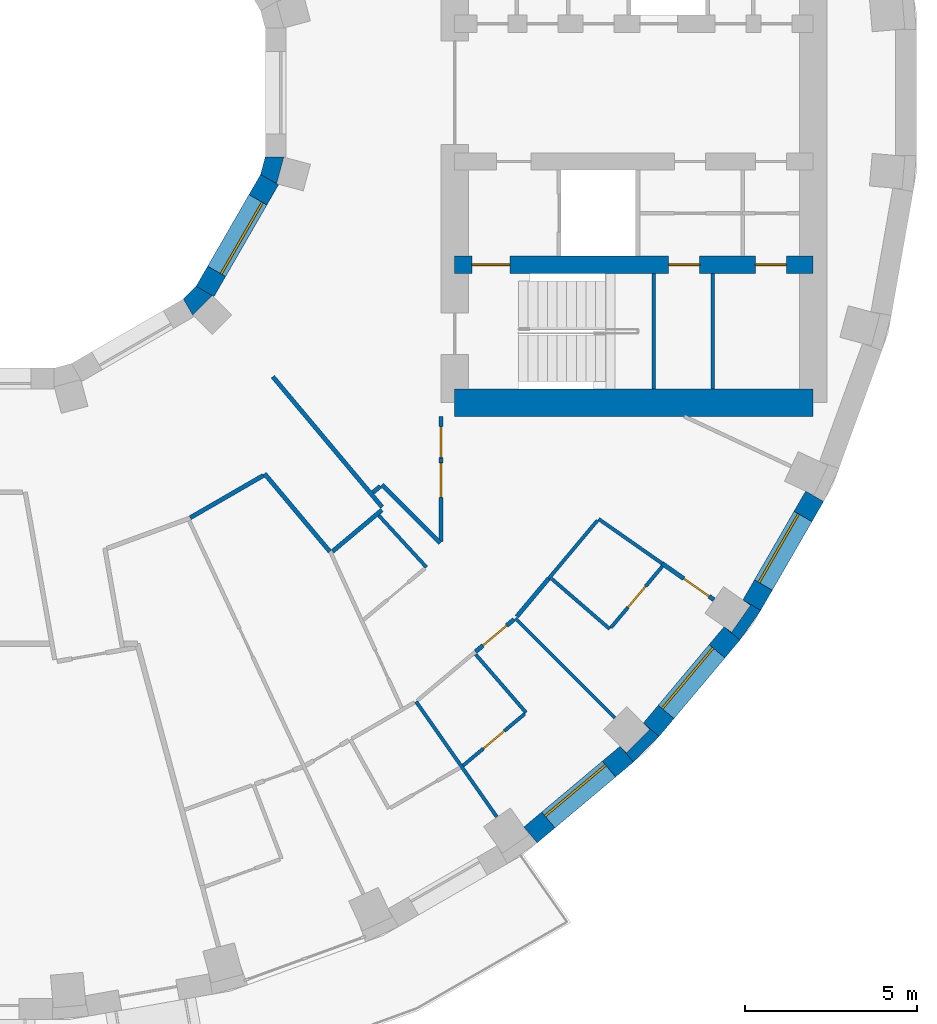
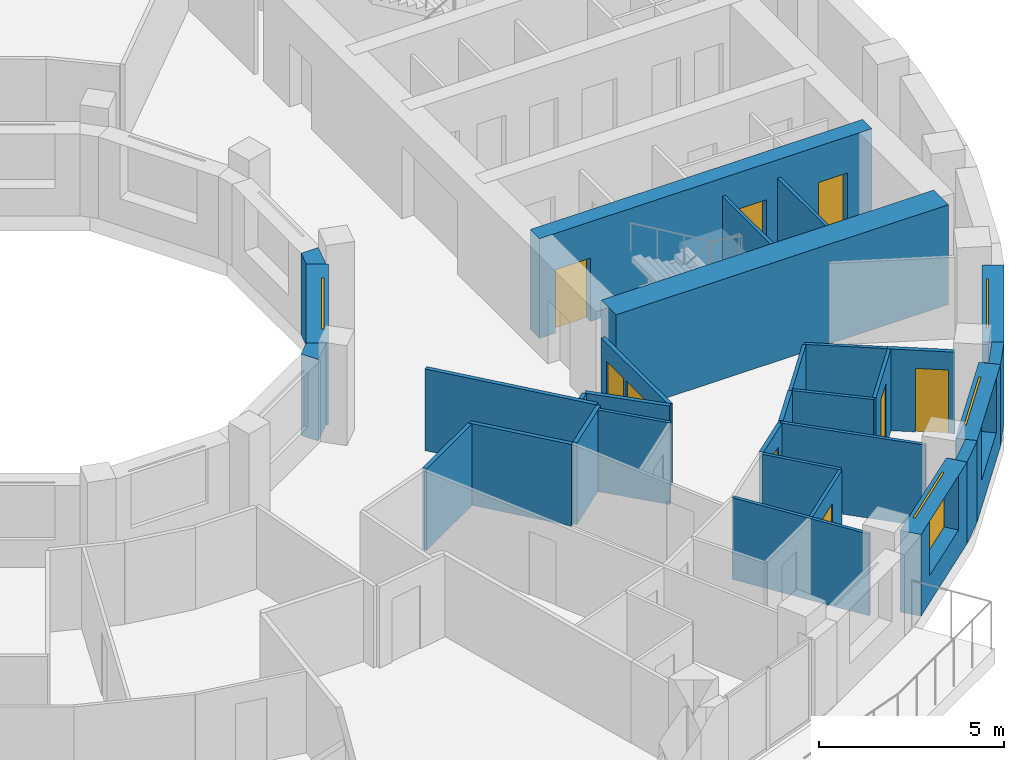
# One storey, part 9 of 16: 31 walls, 9 doors, 4 windows, 13 openings.
"""IFC4 building model written with IfcOpenShell, lengths in metres."""

from ifc_helpers import new_model, si_unit, direction, frame, frame_2d, origin, place, context, subcontext, project, spatial, polyline, rectangle, outline, extrude, material, layer, layer_set, type_object, element, fill, save


model = new_model("IFC4")

# Units and contexts
model_context = context("Model", 3, precision=1e-05, world=origin(), true_north=direction((0.0, 1.0)))
body_context = subcontext(model_context, "Body", "Model", "MODEL_VIEW")
ifc_project = project(units=[si_unit("LENGTHUNIT", "METRE"), si_unit("AREAUNIT", "SQUARE_METRE"), si_unit("VOLUMEUNIT", "CUBIC_METRE"), si_unit("PLANEANGLEUNIT", "RADIAN"), si_unit("MASSUNIT", "GRAM", prefix="KILO")], contexts=[model_context])

# Site, building, storey
site_placement = place(None, origin())
site = spatial("IfcSite", under=ifc_project, at=site_placement, CompositionType="ELEMENT")
building_placement = place(site_placement, origin())
building = spatial("IfcBuilding", under=site, at=building_placement, Name="Saqina Gate Tower", CompositionType="ELEMENT")
storey_placement = place(building_placement, frame((0.0, 0.0, 148.0)))
storey = spatial("IfcBuildingStorey", under=building, at=storey_placement, Name="L42", CompositionType="ELEMENT", Elevation=148.0)

# Walls
ifc_material_1 = material(Name="Brick masonry (buff)", Category="masonry")
wall_type_1 = type_object("IfcWallType", Name="BRICK PIER COPING BUFF", PredefinedType="SOLIDWALL", material=ifc_material_1)
wall_1_placement = place(storey_placement, origin())
element("IfcWall", 1, at=wall_1_placement, inside=storey, type_object=wall_type_1, Name="Pier cap L42 column 32", PredefinedType="SOLIDWALL", context=body_context, shape_type="SweptSolid", body=[
    extrude(outline(polyline([(18.686279296875, -19.43212890625), (19.43212890625, -18.686279296875), (18.972412109375, -18.30078125), (19.16259765625, -18.49072265625), (18.49072265625, -19.16259765625), (18.30078125, -18.972412109375), (18.686279296875, -19.43212890625)])), origin(), (0.0, 0.0, 1.0), 2.699951171875),
])
wall_2_placement = place(storey_placement, origin())
element("IfcWall", 2, at=wall_2_placement, inside=storey, type_object=wall_type_1, Name="Pier cap L42 column 33", PredefinedType="SOLIDWALL", context=body_context, shape_type="SweptSolid", body=[
    extrude(outline(polyline([(22.3818359375, -15.0283203125), (21.862060546875, -14.728271484375), (22.08251953125, -14.88232421875), (21.53759765625, -15.66064453125), (21.317138671875, -15.50634765625), (21.77685546875, -15.89208984375), (22.3818359375, -15.0283203125)])), origin(), (0.0, 0.0, 1.0), 2.699951171875),
])
ifc_material_2 = material(Name="Gypsum board on steel studs", Category="steel")
ifc_layer_1 = layer(ifc_material_2, 0.10009765625)
ifc_layer_set_1 = layer_set([ifc_layer_1], Name="CORE PARTITION")
wall_type_2 = type_object("IfcWallType", Name="CORE PARTITION", PredefinedType="PARTITIONING", material=ifc_layer_set_1)
wall_3_placement = place(storey_placement, frame((20.991943359375, -8.60009765625, 0.0), z_axis=(0.0, 0.0, 1.0), x_axis=(0.0, 1.0, 0.0)))
element("IfcWall", 3, at=wall_3_placement, inside=storey, type_object=wall_type_2, Name="L42-CP-E16", PredefinedType="PARTITIONING", context=body_context, shape_type="SweptSolid", body=[
    extrude(rectangle(XDim=3.35009765625, YDim=0.10009765625, at=frame_2d((1.675048828125, 0.0))), origin(), (0.0, 0.0, 1.0), 2.699951171875),
])

# Wall, opening, window
ifc_material_3 = material(Name="Brick masonry (buff)", Category="masonry")
ifc_layer_2 = layer(ifc_material_3, 0.60009765625)
ifc_layer_set_2 = layer_set([ifc_layer_2], Name="FW-BRICK-BUFF")
wall_type_3 = type_object("IfcWallType", Name="FW-BRICK-BUFF", PredefinedType="SOLIDWALL", material=ifc_layer_set_2)
wall_4_placement = place(storey_placement, frame((15.69921875, -21.547119140625, 0.0), z_axis=(0.0, 0.0, 1.0), x_axis=(0.766055462616, 0.642774476932, 0.0)))
wall_4 = element("IfcWall", 4, at=wall_4_placement, inside=storey, type_object=wall_type_3, Name="Facade wall L42 facet 31", PredefinedType="SOLIDWALL", context=body_context, shape_type="SweptSolid", body=[
    extrude(rectangle(XDim=3.647705078125, YDim=0.60009765625, at=frame_2d((1.82373046875, 0.0))), origin(), (0.0, 0.0, 1.0), 2.699951171875),
])
opening_1_placement = place(wall_4_placement, frame((0.673828125, 0.0, 0.89990234375)))
opening_1 = element("IfcOpeningElement", 5, at=opening_1_placement, cuts=wall_4, Name="Opening G12-W20", PredefinedType="OPENING", context=body_context, shape_type="SweptSolid", body=[
    extrude(rectangle(XDim=2.300048828125, YDim=1.800048828125, at=frame_2d((1.14990234375, 0.89990234375))), frame((0.0, 0.31201171875, 0.0), z_axis=(0.0, -1.0, 0.0), x_axis=(1.0, 0.0, 0.0)), (0.0, 0.0, 1.0), 0.6240234375),
])
ifc_material_4 = material(Name="Aluminium glazing", Category="aluminium")
window_type_1 = type_object("IfcWindowType", Name="WN-B", PartitioningType="SINGLE_PANEL", PredefinedType="WINDOW", material=ifc_material_4)
window_1_placement = place(opening_1_placement, origin())
window_1 = element("IfcWindow", 6, at=window_1_placement, inside=storey, type_object=window_type_1, Name="Window L42 facet 31", OverallHeight=1.800048828125, OverallWidth=2.300048828125, PartitioningType="SINGLE_PANEL", PredefinedType="WINDOW", context=body_context, shape_type="SweptSolid", body=[
    extrude(rectangle(XDim=2.300048828125, YDim=1.800048828125, at=frame_2d((1.14990234375, 0.89990234375))), frame((0.0, 0.179931640625, 0.0), z_axis=(0.0, -1.0, 0.0), x_axis=(1.0, 0.0, 0.0)), (0.0, 0.0, 1.0), 0.06005859375),
])
fill(opening_1, window_1)

wall_5_placement = place(storey_placement, frame((19.202392578125, -18.49365234375, 0.0), z_axis=(0.0, 0.0, 1.0), x_axis=(0.642774476932, 0.766055462616, 0.0)))
wall_5 = element("IfcWall", 7, at=wall_5_placement, inside=storey, type_object=wall_type_3, Name="Facade wall L42 facet 32", PredefinedType="SOLIDWALL", context=body_context, shape_type="SweptSolid", body=[
    extrude(rectangle(XDim=3.647705078125, YDim=0.60009765625, at=frame_2d((1.82373046875, 0.0))), origin(), (0.0, 0.0, 1.0), 2.699951171875),
])
opening_2_placement = place(wall_5_placement, frame((0.673828125, 0.0, 0.89990234375)))
opening_2 = element("IfcOpeningElement", 8, at=opening_2_placement, cuts=wall_5, Name="Opening G12-W21", PredefinedType="OPENING", context=body_context, shape_type="SweptSolid", body=[
    extrude(rectangle(XDim=2.300048828125, YDim=1.800048828125, at=frame_2d((1.14990234375, 0.89990234375))), frame((0.0, 0.31201171875, 0.0), z_axis=(0.0, -1.0, 0.0), x_axis=(1.0, 0.0, 0.0)), (0.0, 0.0, 1.0), 0.6240234375),
])
window_2_placement = place(opening_2_placement, origin())
window_2 = element("IfcWindow", 9, at=window_2_placement, inside=storey, type_object=window_type_1, Name="Window L42 facet 32", OverallHeight=1.800048828125, OverallWidth=2.300048828125, PartitioningType="SINGLE_PANEL", PredefinedType="WINDOW", context=body_context, shape_type="SweptSolid", body=[
    extrude(rectangle(XDim=2.300048828125, YDim=1.800048828125, at=frame_2d((1.14990234375, 0.89990234375))), frame((0.0, 0.179931640625, 0.0), z_axis=(0.0, -1.0, 0.0), x_axis=(1.0, 0.0, 0.0)), (0.0, 0.0, 1.0), 0.06005859375),
])
fill(opening_2, window_2)

wall_6_placement = place(storey_placement, frame((22.1220703125, -14.878173828125, 0.0), z_axis=(0.0, 0.0, 1.0), x_axis=(0.499954196102, 0.866051847062, 0.0)))
wall_6 = element("IfcWall", 10, at=wall_6_placement, inside=storey, type_object=wall_type_3, Name="Facade wall L42 facet 33", PredefinedType="SOLIDWALL", context=body_context, shape_type="SweptSolid", body=[
    extrude(rectangle(XDim=3.647705078125, YDim=0.60009765625, at=frame_2d((1.82373046875, 0.0))), origin(), (0.0, 0.0, 1.0), 2.699951171875),
])
opening_3_placement = place(wall_6_placement, frame((0.673828125, 0.0, 0.89990234375)))
opening_3 = element("IfcOpeningElement", 11, at=opening_3_placement, cuts=wall_6, Name="Opening G12-W22", PredefinedType="OPENING", context=body_context, shape_type="SweptSolid", body=[
    extrude(rectangle(XDim=2.300048828125, YDim=1.800048828125, at=frame_2d((1.14990234375, 0.89990234375))), frame((0.0, 0.31201171875, 0.0), z_axis=(0.0, -1.0, 0.0), x_axis=(1.0, 0.0, 0.0)), (0.0, 0.0, 1.0), 0.6240234375),
])
window_3_placement = place(opening_3_placement, origin())
window_3 = element("IfcWindow", 12, at=window_3_placement, inside=storey, type_object=window_type_1, Name="Window L42 facet 33", OverallHeight=1.800048828125, OverallWidth=2.300048828125, PartitioningType="SINGLE_PANEL", PredefinedType="WINDOW", context=body_context, shape_type="SweptSolid", body=[
    extrude(rectangle(XDim=2.300048828125, YDim=1.800048828125, at=frame_2d((1.14990234375, 0.89990234375))), frame((0.0, 0.179931640625, 0.0), z_axis=(0.0, -1.0, 0.0), x_axis=(1.0, 0.0, 0.0)), (0.0, 0.0, 1.0), 0.06005859375),
])
fill(opening_3, window_3)

ifc_material_5 = material(Name="Glazed ceramic tile", Category="ceramic")
ifc_layer_3 = layer(ifc_material_5, 0.60009765625)
ifc_layer_set_3 = layer_set([ifc_layer_3], Name="IW-TILE")
wall_type_4 = type_object("IfcWallType", Name="IW-TILE", PredefinedType="SOLIDWALL", material=ifc_layer_set_3)
wall_7_placement = place(storey_placement, frame((6.251220703125, -5.772705078125, 0.0), z_axis=(0.0, 0.0, 1.0), x_axis=(0.499964958637, 0.86604563398, 0.0)))
wall_7 = element("IfcWall", 13, at=wall_7_placement, inside=storey, type_object=wall_type_4, Name="Well wall L42 facet 11", PredefinedType="SOLIDWALL", context=body_context, shape_type="SweptSolid", body=[
    extrude(rectangle(XDim=3.747314453125, YDim=0.60009765625, at=frame_2d((1.87353515625, 0.0))), origin(), (0.0, 0.0, 1.0), 2.699951171875),
])
opening_4_placement = place(wall_7_placement, frame((0.673583984375, 0.0, 0.89990234375)))
opening_4 = element("IfcOpeningElement", 14, at=opening_4_placement, cuts=wall_7, Name="Opening G12-W33", PredefinedType="OPENING", context=body_context, shape_type="SweptSolid", body=[
    extrude(rectangle(XDim=2.39990234375, YDim=1.800048828125, at=frame_2d((1.199951171875, 0.89990234375))), frame((0.0, 0.31201171875, 0.0), z_axis=(0.0, -1.0, 0.0), x_axis=(1.0, 0.0, 0.0)), (0.0, 0.0, 1.0), 0.6240234375),
])
ifc_material_6 = material(Name="Aluminium glazing", Category="aluminium")
window_type_2 = type_object("IfcWindowType", Name="WN-W", PartitioningType="SINGLE_PANEL", PredefinedType="WINDOW", material=ifc_material_6)
window_4_placement = place(opening_4_placement, origin())
window_4 = element("IfcWindow", 15, at=window_4_placement, inside=storey, type_object=window_type_2, Name="Well window L42 facet 11", OverallHeight=1.800048828125, OverallWidth=2.39990234375, PartitioningType="SINGLE_PANEL", PredefinedType="WINDOW", context=body_context, shape_type="SweptSolid", body=[
    extrude(rectangle(XDim=2.39990234375, YDim=1.800048828125, at=frame_2d((1.199951171875, 0.89990234375))), frame((0.0, -0.119873046875, 0.0), z_axis=(0.0, -1.0, 0.0), x_axis=(1.0, 0.0, 0.0)), (0.0, 0.0, 1.0), 0.06005859375),
])
fill(opening_4, window_4)

# Walls
ifc_material_7 = material(Name="Gypsum board on steel studs, 100 mm", Category="steel")
ifc_layer_4 = layer(ifc_material_7, 0.10009765625)
ifc_layer_set_4 = layer_set([ifc_layer_4], Name="PARTITION 100")
wall_type_5 = type_object("IfcWallType", Name="PARTITION 100", PredefinedType="PARTITIONING", material=ifc_layer_set_4)
wall_8_placement = place(storey_placement, frame((12.376953125, -17.677001953125, 0.0), z_axis=(0.0, 0.0, 1.0), x_axis=(0.573843281236, -0.818965132702, 0.0)))
element("IfcWall", 16, at=wall_8_placement, inside=storey, type_object=wall_type_5, Name="PARTITION PW3-13", PredefinedType="PARTITIONING", context=body_context, shape_type="SweptSolid", body=[
    extrude(rectangle(XDim=4.085693359375, YDim=0.10009765625, at=frame_2d((2.04296875, 0.0))), origin(), (0.0, 0.0, 1.0), 2.699951171875),
])
wall_9_placement = place(storey_placement, frame((14.10693359375, -16.307373046875, 0.0), z_axis=(0.0, 0.0, 1.0), x_axis=(0.654423540777, -0.756128183099, 0.0)))
element("IfcWall", 17, at=wall_9_placement, inside=storey, type_object=wall_type_5, Name="PARTITION PW3-20", PredefinedType="PARTITIONING", context=body_context, shape_type="SweptSolid", body=[
    extrude(rectangle(XDim=2.2373046875, YDim=0.10009765625, at=frame_2d((1.11865234375, 0.0))), origin(), (0.0, 0.0, 1.0), 2.699951171875),
])
wall_10_placement = place(storey_placement, frame((11.29541015625, -12.27392578125, 0.0), z_axis=(0.0, 0.0, 1.0), x_axis=(0.676981317167, -0.736000201228, 0.0)))
element("IfcWall", 18, at=wall_10_placement, inside=storey, type_object=wall_type_5, Name="PARTITION PW3-22", PredefinedType="PARTITIONING", context=body_context, shape_type="SweptSolid", body=[
    extrude(rectangle(XDim=2.039306640625, YDim=0.10009765625, at=frame_2d((1.01953125, 0.0))), origin(), (0.0, 0.0, 1.0), 2.699951171875),
])
wall_11_placement = place(storey_placement, frame((15.259033203125, -15.259033203125, 0.0), z_axis=(0.0, 0.0, 1.0), x_axis=(0.707106781187, -0.707106781187, 0.0)))
element("IfcWall", 19, at=wall_11_placement, inside=storey, type_object=wall_type_5, Name="PARTITION PW3-24", PredefinedType="PARTITIONING", context=body_context, shape_type="SweptSolid", body=[
    extrude(rectangle(XDim=4.08544921875, YDim=0.10009765625, at=frame_2d((2.042724609375, 0.0))), origin(), (0.0, 0.0, 1.0), 2.699951171875),
])
wall_12_placement = place(storey_placement, frame((16.307373046875, -14.10693359375, 0.0), z_axis=(0.0, 0.0, 1.0), x_axis=(0.756128183099, -0.654423540777, 0.0)))
element("IfcWall", 20, at=wall_12_placement, inside=storey, type_object=wall_type_5, Name="PARTITION PW3-25", PredefinedType="PARTITIONING", context=body_context, shape_type="SweptSolid", body=[
    extrude(rectangle(XDim=2.2373046875, YDim=0.10009765625, at=frame_2d((1.11865234375, 0.0))), origin(), (0.0, 0.0, 1.0), 2.699951171875),
])
wall_13_placement = place(storey_placement, frame((17.677001953125, -12.377197265625, 0.0), z_axis=(0.0, 0.0, 1.0), x_axis=(0.81912468453, -0.573615508153, 0.0)))
element("IfcWall", 21, at=wall_13_placement, inside=storey, type_object=wall_type_5, Name="PARTITION PW3-34", PredefinedType="PARTITIONING", context=body_context, shape_type="SweptSolid", body=[
    extrude(rectangle(XDim=2.246337890625, YDim=0.10009765625, at=frame_2d((1.123046875, 0.0))), origin(), (0.0, 0.0, 1.0), 2.699951171875),
])

# Wall, opening, door
wall_14_placement = place(storey_placement, frame((13.740234375, -19.535888671875, 0.0), z_axis=(0.0, 0.0, 1.0), x_axis=(0.765924716163, 0.642930267735, 0.0)))
wall_14 = element("IfcWall", 22, at=wall_14_placement, inside=storey, type_object=wall_type_5, Name="PARTITION PW3-80", PredefinedType="PARTITIONING", context=body_context, shape_type="SweptSolid", body=[
    extrude(rectangle(XDim=2.34033203125, YDim=0.10009765625, at=frame_2d((1.170166015625, 0.0))), origin(), (0.0, 0.0, 1.0), 2.699951171875),
])
opening_5_placement = place(wall_14_placement, frame((0.77001953125, 0.0, 0.0)))
opening_5 = element("IfcOpeningElement", 23, at=opening_5_placement, cuts=wall_14, Name="Opening G12-D55", PredefinedType="OPENING", context=body_context, shape_type="SweptSolid", body=[
    extrude(rectangle(XDim=0.800048828125, YDim=2.10009765625, at=frame_2d((0.39990234375, 1.050048828125))), frame((0.0, 0.06201171875, 0.0), z_axis=(0.0, -1.0, 0.0), x_axis=(1.0, 0.0, 0.0)), (0.0, 0.0, 1.0), 0.1240234375),
])
ifc_material_8 = material(Name="Timber door leaf, 800 mm", Category="wood")
door_type_1 = type_object("IfcDoorType", Name="DOOR 800 TIMBER", OperationType="SINGLE_SWING_LEFT", PredefinedType="DOOR", material=ifc_material_8)
door_1_placement = place(opening_5_placement, frame((0.800048828125, 0.0, 0.0), z_axis=(0.0, 0.0, 1.0), x_axis=(-1.0, 0.0, 0.0)))
door_1 = element("IfcDoor", 24, at=door_1_placement, inside=storey, type_object=door_type_1, Name="DOOR G12-D55", OperationType="SINGLE_SWING_RIGHT", OverallHeight=2.10009765625, OverallWidth=0.800048828125, PredefinedType="DOOR", context=body_context, shape_type="SweptSolid", body=[
    extrude(rectangle(XDim=0.800048828125, YDim=2.10009765625, at=frame_2d((0.39990234375, 1.050048828125))), frame((0.0, 0.02490234375, 0.0), z_axis=(0.0, -1.0, 0.0), x_axis=(1.0, 0.0, 0.0)), (0.0, 0.0, 1.0), 0.050048828125),
])
fill(opening_5, door_1)

wall_15_placement = place(storey_placement, frame((18.03125, -15.53271484375, 0.0), z_axis=(0.0, 0.0, 1.0), x_axis=(0.64291410234, 0.765938285381, 0.0)))
wall_15 = element("IfcWall", 25, at=wall_15_placement, inside=storey, type_object=wall_type_5, Name="PARTITION PW3-90", PredefinedType="PARTITIONING", context=body_context, shape_type="SweptSolid", body=[
    extrude(rectangle(XDim=2.327880859375, YDim=0.10009765625, at=frame_2d((1.1640625, 0.0))), origin(), (0.0, 0.0, 1.0), 2.699951171875),
])
opening_6_placement = place(wall_15_placement, frame((0.77001953125, 0.0, 0.0)))
opening_6 = element("IfcOpeningElement", 26, at=opening_6_placement, cuts=wall_15, Name="Opening G12-D59", PredefinedType="OPENING", context=body_context, shape_type="SweptSolid", body=[
    extrude(rectangle(XDim=0.800048828125, YDim=2.10009765625, at=frame_2d((0.39990234375, 1.050048828125))), frame((0.0, 0.06201171875, 0.0), z_axis=(0.0, -1.0, 0.0), x_axis=(1.0, 0.0, 0.0)), (0.0, 0.0, 1.0), 0.1240234375),
])
door_2_placement = place(opening_6_placement, frame((0.800048828125, 0.0, 0.0), z_axis=(0.0, 0.0, 1.0), x_axis=(-1.0, 0.0, 0.0)))
door_2 = element("IfcDoor", 27, at=door_2_placement, inside=storey, type_object=door_type_1, Name="DOOR G12-D59", OperationType="SINGLE_SWING_LEFT", OverallHeight=2.10009765625, OverallWidth=0.800048828125, PredefinedType="DOOR", context=body_context, shape_type="SweptSolid", body=[
    extrude(rectangle(XDim=0.800048828125, YDim=2.10009765625, at=frame_2d((0.39990234375, 1.050048828125))), frame((0.0, 0.02490234375, 0.0), z_axis=(0.0, -1.0, 0.0), x_axis=(1.0, 0.0, 0.0)), (0.0, 0.0, 1.0), 0.050048828125),
])
fill(opening_6, door_2)

# Walls
wall_16_placement = place(storey_placement, frame((16.22802734375, -14.1044921875, 0.0), z_axis=(0.0, 0.0, 1.0), x_axis=(0.642710935311, 0.766108774021, 0.0)))
element("IfcWall", 28, at=wall_16_placement, inside=storey, type_object=wall_type_5, Name="PARTITION PW3-91", PredefinedType="PARTITIONING", context=body_context, shape_type="SweptSolid", body=[
    extrude(rectangle(XDim=2.2021484375, YDim=0.10009765625, at=frame_2d((1.10107421875, 0.0))), origin(), (0.0, 0.0, 1.0), 2.699951171875),
])
ifc_material_9 = material(Name="Gypsum board on steel studs, 125 mm, fire rated", Category="steel")
ifc_layer_5 = layer(ifc_material_9, 0.125)
ifc_layer_set_5 = layer_set([ifc_layer_5], Name="PARTITION EI 30 125")
wall_type_6 = type_object("IfcWallType", Name="PARTITION EI 30 125", PredefinedType="PARTITIONING", material=ifc_layer_set_5)
wall_17_placement = place(storey_placement, frame((7.97705078125, -11.05908203125, 0.0), z_axis=(0.0, 0.0, 1.0), x_axis=(0.642679638204, -0.766135028985, 0.0)))
element("IfcWall", 29, at=wall_17_placement, inside=storey, type_object=wall_type_6, Name="PARTITION PW1-06", PredefinedType="PARTITIONING", context=body_context, shape_type="SweptSolid", body=[
    extrude(rectangle(XDim=2.950439453125, YDim=0.125, at=frame_2d((1.47509765625, 0.0))), origin(), (0.0, 0.0, 1.0), 2.699951171875),
])
wall_18_placement = place(storey_placement, frame((8.2197265625, -8.246826171875, 0.0), z_axis=(0.0, 0.0, 1.0), x_axis=(0.642555132876, -0.766239454228, 0.0)))
element("IfcWall", 30, at=wall_18_placement, inside=storey, type_object=wall_type_6, Name="PARTITION PW1-08", PredefinedType="PARTITIONING", context=body_context, shape_type="SweptSolid", body=[
    extrude(rectangle(XDim=4.936767578125, YDim=0.125, at=frame_2d((2.46826171875, 0.0))), origin(), (0.0, 0.0, 1.0), 2.699951171875),
])
wall_19_placement = place(storey_placement, frame((11.387939453125, -11.385009765625, 0.0), z_axis=(0.0, 0.0, 1.0), x_axis=(0.707157874563, -0.707055684118, 0.0)))
element("IfcWall", 31, at=wall_19_placement, inside=storey, type_object=wall_type_6, Name="PARTITION PW1-10", PredefinedType="PARTITIONING", context=body_context, shape_type="SweptSolid", body=[
    extrude(rectangle(XDim=2.38916015625, YDim=0.125, at=frame_2d((1.194580078125, 0.0))), origin(), (0.0, 0.0, 1.0), 2.699951171875),
])

# Wall, opening, door
wall_20_placement = place(storey_placement, frame((19.516845703125, -13.666259765625, 0.0), z_axis=(0.0, 0.0, 1.0), x_axis=(0.819319221636, -0.573337608271, 0.0)))
wall_20 = element("IfcWall", 32, at=wall_20_placement, inside=storey, type_object=wall_type_6, Name="PARTITION PW1-15", PredefinedType="PARTITIONING", context=body_context, shape_type="SweptSolid", body=[
    extrude(rectangle(XDim=1.839111328125, YDim=0.125, at=frame_2d((0.91943359375, 0.0))), origin(), (0.0, 0.0, 1.0), 2.699951171875),
])
opening_7_placement = place(wall_20_placement, frame((0.767333984375, 0.0, 0.0)))
opening_7 = element("IfcOpeningElement", 33, at=opening_7_placement, cuts=wall_20, Name="Opening G12-D61", PredefinedType="OPENING", context=body_context, shape_type="SweptSolid", body=[
    extrude(rectangle(XDim=0.89990234375, YDim=2.10009765625, at=frame_2d((0.449951171875, 1.050048828125))), frame((0.0, 0.074462890625, 0.0), z_axis=(0.0, -1.0, 0.0), x_axis=(1.0, 0.0, 0.0)), (0.0, 0.0, 1.0), 0.14892578125),
])
ifc_material_10 = material(Name="Fire door leaf EI 30, 900 mm")
door_type_2 = type_object("IfcDoorType", Name="DOOR 900 EI 30", OperationType="SINGLE_SWING_LEFT", PredefinedType="DOOR", material=ifc_material_10)
door_3_placement = place(opening_7_placement, origin())
door_3 = element("IfcDoor", 34, at=door_3_placement, inside=storey, type_object=door_type_2, Name="DOOR G12-D61", OperationType="SINGLE_SWING_RIGHT", OverallHeight=2.10009765625, OverallWidth=0.89990234375, PredefinedType="DOOR", context=body_context, shape_type="SweptSolid", body=[
    extrude(rectangle(XDim=0.89990234375, YDim=2.10009765625, at=frame_2d((0.449951171875, 1.050048828125))), frame((0.0, 0.02490234375, 0.0), z_axis=(0.0, -1.0, 0.0), x_axis=(1.0, 0.0, 0.0)), (0.0, 0.0, 1.0), 0.050048828125),
])
fill(opening_7, door_3)

# Walls
wall_21_placement = place(storey_placement, frame((5.822021484375, -12.33984375, 0.0), z_axis=(0.0, 0.0, 1.0), x_axis=(0.865951440693, 0.500128085955, 0.0)))
element("IfcWall", 35, at=wall_21_placement, inside=storey, type_object=wall_type_6, Name="PARTITION PW1-39", PredefinedType="PARTITIONING", context=body_context, shape_type="SweptSolid", body=[
    extrude(rectangle(XDim=2.448486328125, YDim=0.125, at=frame_2d((1.22412109375, 0.0))), origin(), (0.0, 0.0, 1.0), 2.699951171875),
])
wall_22_placement = place(storey_placement, frame((11.125, -11.606201171875, 0.0), z_axis=(0.0, 0.0, 1.0), x_axis=(0.766857755144, 0.641817094955, 0.0)))
element("IfcWall", 36, at=wall_22_placement, inside=storey, type_object=wall_type_6, Name="PARTITION PW1-43", PredefinedType="PARTITIONING", context=body_context, shape_type="SweptSolid", body=[
    extrude(rectangle(XDim=0.279296875, YDim=0.125, at=frame_2d((0.1396484375, 0.0))), origin(), (0.0, 0.0, 1.0), 2.699951171875),
])

# Wall, opening, door
wall_23_placement = place(storey_placement, frame((14.104248046875, -16.227783203125, 0.0), z_axis=(0.0, 0.0, 1.0), x_axis=(0.766114305984, 0.642704341177, 0.0)))
wall_23 = element("IfcWall", 37, at=wall_23_placement, inside=storey, type_object=wall_type_6, Name="PARTITION PW1-44", PredefinedType="PARTITIONING", context=body_context, shape_type="SweptSolid", body=[
    extrude(rectangle(XDim=1.4560546875, YDim=0.125, at=frame_2d((0.72802734375, 0.0))), origin(), (0.0, 0.0, 1.0), 2.699951171875),
])
opening_8_placement = place(wall_23_placement, frame((0.278076171875, 0.0, 0.0)))
opening_8 = element("IfcOpeningElement", 38, at=opening_8_placement, cuts=wall_23, Name="Opening G12-D57", PredefinedType="OPENING", context=body_context, shape_type="SweptSolid", body=[
    extrude(rectangle(XDim=0.89990234375, YDim=2.10009765625, at=frame_2d((0.449951171875, 1.050048828125))), frame((0.0, 0.074462890625, 0.0), z_axis=(0.0, -1.0, 0.0), x_axis=(1.0, 0.0, 0.0)), (0.0, 0.0, 1.0), 0.14892578125),
])
door_4_placement = place(opening_8_placement, origin())
door_4 = element("IfcDoor", 39, at=door_4_placement, inside=storey, type_object=door_type_2, Name="DOOR G12-D57", OperationType="SINGLE_SWING_RIGHT", OverallHeight=2.10009765625, OverallWidth=0.89990234375, PredefinedType="DOOR", context=body_context, shape_type="SweptSolid", body=[
    extrude(rectangle(XDim=0.89990234375, YDim=2.10009765625, at=frame_2d((0.449951171875, 1.050048828125))), frame((0.0, 0.02490234375, 0.0), z_axis=(0.0, -1.0, 0.0), x_axis=(1.0, 0.0, 0.0)), (0.0, 0.0, 1.0), 0.050048828125),
])
fill(opening_8, door_4)

# Walls
wall_24_placement = place(storey_placement, frame((9.95361328125, -13.3173828125, 0.0), z_axis=(0.0, 0.0, 1.0), x_axis=(0.766162509907, 0.642646876919, 0.0)))
element("IfcWall", 40, at=wall_24_placement, inside=storey, type_object=wall_type_6, Name="PARTITION PW1-45", PredefinedType="PARTITIONING", context=body_context, shape_type="SweptSolid", body=[
    extrude(rectangle(XDim=1.869873046875, YDim=0.125, at=frame_2d((0.93505859375, 0.0))), origin(), (0.0, 0.0, 1.0), 2.699951171875),
])
wall_25_placement = place(storey_placement, frame((15.300048828125, -15.210205078125, 0.0), z_axis=(0.0, 0.0, 1.0), x_axis=(0.642676314535, 0.766137817064, 0.0)))
element("IfcWall", 41, at=wall_25_placement, inside=storey, type_object=wall_type_6, Name="PARTITION PW1-51", PredefinedType="PARTITIONING", context=body_context, shape_type="SweptSolid", body=[
    extrude(rectangle(XDim=1.443603515625, YDim=0.125, at=frame_2d((0.7216796875, 0.0))), origin(), (0.0, 0.0, 1.0), 2.699951171875),
])

# Wall, openings, doors
wall_26_placement = place(storey_placement, frame((13.10009765625, -13.032470703125, 0.0), z_axis=(0.0, 0.0, 1.0), x_axis=(0.0, 1.0, 0.0)))
wall_26 = element("IfcWall", 42, at=wall_26_placement, inside=storey, type_object=wall_type_6, Name="PARTITION PW1-59", PredefinedType="PARTITIONING", context=body_context, shape_type="SweptSolid", body=[
    extrude(rectangle(XDim=3.631591796875, YDim=0.125, at=frame_2d((1.81591796875, 0.0))), origin(), (0.0, 0.0, 1.0), 2.699951171875),
])
opening_9_placement = place(wall_26_placement, frame((1.284423828125, 0.0, 0.0)))
opening_9 = element("IfcOpeningElement", 43, at=opening_9_placement, cuts=wall_26, Name="Opening G12-D58", PredefinedType="OPENING", context=body_context, shape_type="SweptSolid", body=[
    extrude(rectangle(XDim=1.0, YDim=2.10009765625, at=frame_2d((0.5, 1.050048828125))), frame((0.0, 0.074462890625, 0.0), z_axis=(0.0, -1.0, 0.0), x_axis=(1.0, 0.0, 0.0)), (0.0, 0.0, 1.0), 0.14892578125),
])
opening_10_placement = place(wall_26_placement, frame((2.4345703125, 0.0, 0.0)))
opening_10 = element("IfcOpeningElement", 44, at=opening_10_placement, cuts=wall_26, Name="Opening G12-D60", PredefinedType="OPENING", context=body_context, shape_type="SweptSolid", body=[
    extrude(rectangle(XDim=0.89990234375, YDim=2.10009765625, at=frame_2d((0.449951171875, 1.050048828125))), frame((0.0, 0.074462890625, 0.0), z_axis=(0.0, -1.0, 0.0), x_axis=(1.0, 0.0, 0.0)), (0.0, 0.0, 1.0), 0.14892578125),
])
ifc_material_11 = material(Name="Fire door leaf EI 30, 1000 mm")
door_type_3 = type_object("IfcDoorType", Name="DOOR 1000 EI 30", OperationType="SINGLE_SWING_LEFT", PredefinedType="DOOR", material=ifc_material_11)
door_5_placement = place(opening_9_placement, frame((1.0, 0.0, 0.0), z_axis=(0.0, 0.0, 1.0), x_axis=(-1.0, 0.0, 0.0)))
door_5 = element("IfcDoor", 45, at=door_5_placement, inside=storey, type_object=door_type_3, Name="DOOR G12-D58", OperationType="SINGLE_SWING_RIGHT", OverallHeight=2.10009765625, OverallWidth=1.0, PredefinedType="DOOR", context=body_context, shape_type="SweptSolid", body=[
    extrude(rectangle(XDim=1.0, YDim=2.10009765625, at=frame_2d((0.5, 1.050048828125))), frame((0.0, 0.02490234375, 0.0), z_axis=(0.0, -1.0, 0.0), x_axis=(1.0, 0.0, 0.0)), (0.0, 0.0, 1.0), 0.050048828125),
])
fill(opening_9, door_5)
door_6_placement = place(opening_10_placement, frame((0.89990234375, 0.0, 0.0), z_axis=(0.0, 0.0, 1.0), x_axis=(-1.0, 0.0, 0.0)))
door_6 = element("IfcDoor", 46, at=door_6_placement, inside=storey, type_object=door_type_2, Name="DOOR G12-D60", OperationType="SINGLE_SWING_LEFT", OverallHeight=2.10009765625, OverallWidth=0.89990234375, PredefinedType="DOOR", context=body_context, shape_type="SweptSolid", body=[
    extrude(rectangle(XDim=0.89990234375, YDim=2.10009765625, at=frame_2d((0.449951171875, 1.050048828125))), frame((0.0, 0.02490234375, 0.0), z_axis=(0.0, -1.0, 0.0), x_axis=(1.0, 0.0, 0.0)), (0.0, 0.0, 1.0), 0.050048828125),
])
fill(opening_10, door_6)

# Wall
ifc_material_12 = material(Name="Autoclaved aerated concrete block", Category="concrete")
ifc_layer_6 = layer(ifc_material_12, 0.10009765625)
ifc_layer_set_6 = layer_set([ifc_layer_6], Name="STAIR ENCLOSURE WALL")
wall_type_7 = type_object("IfcWallType", Name="STAIR ENCLOSURE WALL", PredefinedType="PARTITIONING", material=ifc_layer_set_6)
wall_27_placement = place(storey_placement, frame((19.27001953125, -8.60009765625, 0.0), z_axis=(0.0, 0.0, 1.0), x_axis=(0.0, 1.0, 0.0)))
element("IfcWall", 47, at=wall_27_placement, inside=storey, type_object=wall_type_7, Name="L42-CP-E15", PredefinedType="PARTITIONING", context=body_context, shape_type="SweptSolid", body=[
    extrude(rectangle(XDim=3.35009765625, YDim=0.10009765625, at=frame_2d((1.675048828125, 0.0))), origin(), (0.0, 0.0, 1.0), 2.699951171875),
])

# Wall, openings, doors
ifc_material_13 = material(Name="Concrete C70/85", Category="concrete")
ifc_layer_7 = layer(ifc_material_13, 0.5)
ifc_layer_set_7 = layer_set([ifc_layer_7], Name="Concrete C70/85")
wall_type_8 = type_object("IfcWallType", Name="STR-CORE WALL-B-I", PredefinedType="SHEAR", material=ifc_layer_set_7)
wall_28_placement = place(storey_placement, frame((13.5, -5.0, 0.0), z_axis=(0.0, 0.0, 1.0), x_axis=(1.0, 0.0, 0.0)))
wall_28 = element("IfcWall", 48, at=wall_28_placement, inside=storey, type_object=wall_type_8, Name="CORE WALL L42 E-X2", PredefinedType="SHEAR", context=body_context, shape_type="SweptSolid", body=[
    extrude(rectangle(XDim=10.39990234375, YDim=0.5, at=frame_2d((5.199951171875, 0.0))), origin(), (0.0, 0.0, 1.0), 3.300048828125),
])
opening_11_placement = place(wall_28_placement, frame((6.2060546875, 0.0, 0.0)))
opening_11 = element("IfcOpeningElement", 49, at=opening_11_placement, cuts=wall_28, Name="Opening G12-D104", PredefinedType="OPENING", context=body_context, shape_type="SweptSolid", body=[
    extrude(rectangle(XDim=0.89990234375, YDim=2.10009765625, at=frame_2d((0.449951171875, 1.050048828125))), frame((0.0, 0.261962890625, 0.0), z_axis=(0.0, -1.0, 0.0), x_axis=(1.0, 0.0, 0.0)), (0.0, 0.0, 1.0), 0.52392578125),
])
opening_12_placement = place(wall_28_placement, frame((8.729248046875, 0.0, 0.0)))
opening_12 = element("IfcOpeningElement", 50, at=opening_12_placement, cuts=wall_28, Name="Opening G12-D105", PredefinedType="OPENING", context=body_context, shape_type="SweptSolid", body=[
    extrude(rectangle(XDim=0.89990234375, YDim=2.10009765625, at=frame_2d((0.449951171875, 1.050048828125))), frame((0.0, 0.261962890625, 0.0), z_axis=(0.0, -1.0, 0.0), x_axis=(1.0, 0.0, 0.0)), (0.0, 0.0, 1.0), 0.52392578125),
])
opening_13_placement = place(wall_28_placement, frame((0.5, 0.0, 0.0)))
opening_13 = element("IfcOpeningElement", 51, at=opening_13_placement, cuts=wall_28, Name="Opening G12-D106", PredefinedType="OPENING", context=body_context, shape_type="SweptSolid", body=[
    extrude(rectangle(XDim=1.10009765625, YDim=2.10009765625, at=frame_2d((0.550048828125, 1.050048828125))), frame((0.0, 0.261962890625, 0.0), z_axis=(0.0, -1.0, 0.0), x_axis=(1.0, 0.0, 0.0)), (0.0, 0.0, 1.0), 0.52392578125),
])
ifc_material_14 = material(Name="Steel", Category="steel")
door_type_4 = type_object("IfcDoorType", Name="FIRE LOBBY DOOR EI 60 WIDE", OperationType="SINGLE_SWING_LEFT", PredefinedType="DOOR", material=ifc_material_14)
door_7_placement = place(opening_13_placement, frame((1.10009765625, 0.0, 0.0), z_axis=(0.0, 0.0, 1.0), x_axis=(-1.0, 0.0, 0.0)))
door_7 = element("IfcDoor", 52, at=door_7_placement, inside=storey, type_object=door_type_4, Name="L42-CD-E17", OperationType="SINGLE_SWING_RIGHT", OverallHeight=2.10009765625, OverallWidth=1.10009765625, PredefinedType="DOOR", context=body_context, shape_type="SweptSolid", body=[
    extrude(rectangle(XDim=1.10009765625, YDim=2.10009765625, at=frame_2d((0.550048828125, 1.050048828125))), frame((0.0, 0.02490234375, 0.0), z_axis=(0.0, -1.0, 0.0), x_axis=(1.0, 0.0, 0.0)), (0.0, 0.0, 1.0), 0.050048828125),
])
fill(opening_13, door_7)
ifc_material_15 = material(Name="Steel-framed fire door leaf, EI 60", Category="steel")
door_type_5 = type_object("IfcDoorType", Name="SERVICE ROOM DOOR 900", OperationType="SINGLE_SWING_LEFT", PredefinedType="DOOR", material=ifc_material_15)
door_8_placement = place(opening_11_placement, frame((0.89990234375, 0.0, 0.0), z_axis=(0.0, 0.0, 1.0), x_axis=(-1.0, 0.0, 0.0)))
door_8 = element("IfcDoor", 53, at=door_8_placement, inside=storey, type_object=door_type_5, Name="L42-CD-E15", OperationType="SINGLE_SWING_LEFT", OverallHeight=2.10009765625, OverallWidth=0.89990234375, PredefinedType="DOOR", context=body_context, shape_type="SweptSolid", body=[
    extrude(rectangle(XDim=0.89990234375, YDim=2.10009765625, at=frame_2d((0.449951171875, 1.050048828125))), frame((0.0, 0.02490234375, 0.0), z_axis=(0.0, -1.0, 0.0), x_axis=(1.0, 0.0, 0.0)), (0.0, 0.0, 1.0), 0.050048828125),
])
fill(opening_11, door_8)
door_9_placement = place(opening_12_placement, frame((0.89990234375, 0.0, 0.0), z_axis=(0.0, 0.0, 1.0), x_axis=(-1.0, 0.0, 0.0)))
door_9 = element("IfcDoor", 54, at=door_9_placement, inside=storey, type_object=door_type_5, Name="L42-CD-E16", OperationType="SINGLE_SWING_LEFT", OverallHeight=2.10009765625, OverallWidth=0.89990234375, PredefinedType="DOOR", context=body_context, shape_type="SweptSolid", body=[
    extrude(rectangle(XDim=0.89990234375, YDim=2.10009765625, at=frame_2d((0.449951171875, 1.050048828125))), frame((0.0, 0.02490234375, 0.0), z_axis=(0.0, -1.0, 0.0), x_axis=(1.0, 0.0, 0.0)), (0.0, 0.0, 1.0), 0.050048828125),
])
fill(opening_12, door_9)

# Walls
ifc_material_16 = material(Name="Concrete C70/85", Category="concrete")
ifc_layer_8 = layer(ifc_material_16, 0.800048828125)
ifc_layer_set_8 = layer_set([ifc_layer_8], Name="Concrete C70/85")
wall_type_9 = type_object("IfcWallType", Name="STR-CORE WALL-B-O", PredefinedType="SHEAR", material=ifc_layer_set_8)
wall_29_placement = place(storey_placement, frame((13.5, -9.0, 0.0), z_axis=(0.0, 0.0, 1.0), x_axis=(1.0, 0.0, 0.0)))
element("IfcWall", 55, at=wall_29_placement, inside=storey, type_object=wall_type_9, Name="CORE WALL L42 E-SE", PredefinedType="SHEAR", context=body_context, shape_type="SweptSolid", body=[
    extrude(rectangle(XDim=10.39990234375, YDim=0.800048828125, at=frame_2d((5.199951171875, 0.0))), origin(), (0.0, 0.0, 1.0), 3.300048828125),
])
ifc_material_17 = material(Name="Glazed ceramic tile", Category="ceramic")
wall_type_10 = type_object("IfcWallType", Name="TILE PIER COPING", PredefinedType="SOLIDWALL", material=ifc_material_17)
wall_30_placement = place(storey_placement, origin())
element("IfcWall", 56, at=wall_30_placement, inside=storey, type_object=wall_type_10, Name="Well pier cap L42 column 11", PredefinedType="SOLIDWALL", context=body_context, shape_type="SweptSolid", body=[
    extrude(outline(polyline([(5.891845703125, -6.45751953125), (6.45751953125, -5.891845703125), (5.991455078125, -5.622802734375), (5.622802734375, -5.991455078125), (5.891845703125, -6.45751953125)])), origin(), (0.0, 0.0, 1.0), 2.699951171875),
])
wall_31_placement = place(storey_placement, origin())
element("IfcWall", 57, at=wall_31_placement, inside=storey, type_object=wall_type_10, Name="Well pier cap L42 column 12", PredefinedType="SOLIDWALL", context=body_context, shape_type="SweptSolid", body=[
    extrude(outline(polyline([(8.5380859375, -1.873779296875), (8.0, -1.873779296875), (7.864990234375, -2.377197265625), (8.3310546875, -2.646484375), (8.5380859375, -1.873779296875)])), origin(), (0.0, 0.0, 1.0), 2.699951171875),
])

save(model, "model.ifc")
